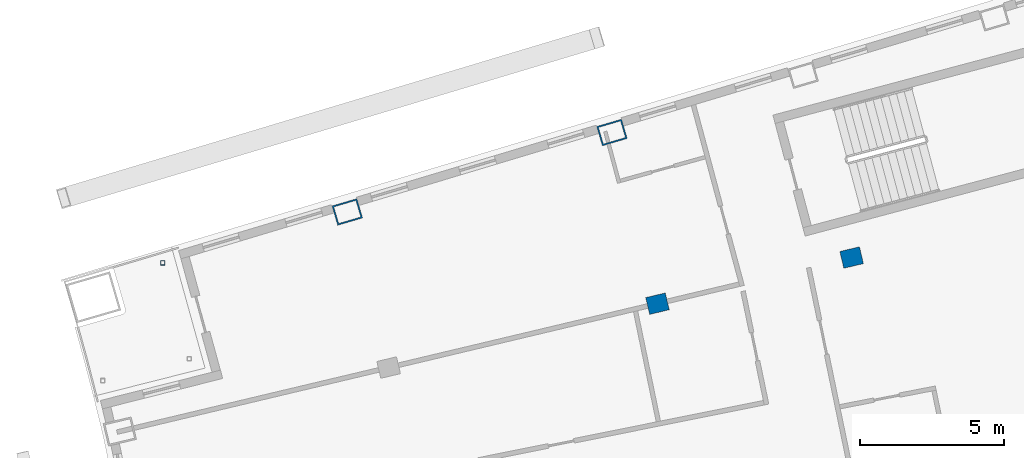
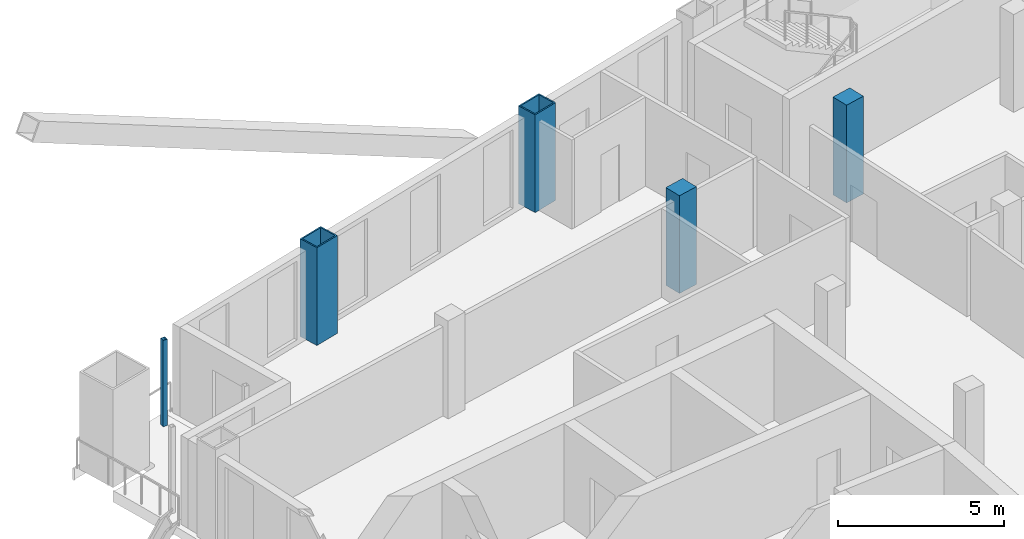
# One storey, part 5 of 17: 5 columns.
"""IFC4 building model written with IfcOpenShell, lengths in metres."""

from ifc_helpers import new_model, si_unit, direction, frame, origin, origin_2d, place, context, subcontext, project, spatial, rectangle, hollow_rectangle, extrude, material, material_profile, profile_set, type_object, element, save


model = new_model("IFC4")

# Units and contexts
model_context = context("Model", 3, precision=1e-05, world=origin(), true_north=direction((0.0, 1.0)))
body_context = subcontext(model_context, "Body", "Model", "MODEL_VIEW")
ifc_project = project(units=[si_unit("LENGTHUNIT", "METRE"), si_unit("AREAUNIT", "SQUARE_METRE"), si_unit("VOLUMEUNIT", "CUBIC_METRE"), si_unit("PLANEANGLEUNIT", "RADIAN"), si_unit("MASSUNIT", "GRAM", prefix="KILO")], contexts=[model_context])

# Site, building, storey
site_placement = place(None, origin())
site = spatial("IfcSite", under=ifc_project, at=site_placement, CompositionType="ELEMENT")
building_placement = place(site_placement, origin())
building = spatial("IfcBuilding", under=site, at=building_placement, Name="Alderwake Tower", CompositionType="ELEMENT")
storey_placement = place(building_placement, frame((0.0, 0.0, 256.39990234375)))
storey = spatial("IfcBuildingStorey", under=building, at=storey_placement, Name="L63", CompositionType="ELEMENT", Elevation=256.39990234375)

# Columns
ifc_material_1 = material(Name="Steel ASTM A572 Grade 50 concrete filled C70/85", Category="concrete")
ifc_material_profile_1 = material_profile(ifc_material_1, hollow_rectangle(XDim=0.699951171875, YDim=0.89990234375, WallThickness=0.050048828125, at=origin_2d()), Name="BOX 900X700X50")
ifc_profile_set_1 = profile_set([ifc_material_profile_1], Name="Steel ASTM A572 Grade 50 concrete filled C70/85")
column_type_1 = type_object("IfcColumnType", Name="End column Z5", PredefinedType="COLUMN", material=ifc_profile_set_1)
for number, where, z_axis, x_axis, name in (
    (1, (21.885498046875, 90.96240234375, 0.0), (0.0, 0.0, 1.0), (-0.282132160283, 0.95937554906, 0.0), "Column R12-C1"),
    (2, (31.080322265625, 93.72314453125, 0.0), (0.0, 0.0, 1.0), (-0.282582549822, 0.959242984095, 0.0), "Column R12-C2"),
):
    element("IfcColumn", number, at=place(storey_placement, frame(where, z_axis=z_axis, x_axis=x_axis)), inside=storey, type_object=column_type_1, Name=name, PredefinedType="COLUMN", context=body_context, shape_type="SweptSolid", body=[
        extrude(hollow_rectangle(XDim=0.699951171875, YDim=0.89990234375, WallThickness=0.050048828125, at=origin_2d()), origin(), (0.0, 0.0, 1.0), 3.60009765625),
    ])
ifc_material_2 = material(Name="Concrete C70/85", Category="concrete")
ifc_material_profile_2 = material_profile(ifc_material_2, rectangle(XDim=0.60009765625, YDim=0.699951171875, at=origin_2d()), Name="RC 700X600")
ifc_profile_set_2 = profile_set([ifc_material_profile_2], Name="Concrete C70/85")
column_type_2 = type_object("IfcColumnType", Name="Interior column Z5", PredefinedType="COLUMN", material=ifc_profile_set_2)
for number, where, z_axis, x_axis, name in (
    (3, (32.661865234375, 87.775390625, 0.0), (0.0, 0.0, 1.0), (-0.231221547198, 0.972901123502, 0.0), "Column R11-C2"),
    (4, (39.407470703125, 89.378662109375, 0.0), (0.0, 0.0, 1.0), (-0.231221547198, 0.972901123502, 0.0), "Column R11-C3"),
):
    element("IfcColumn", number, at=place(storey_placement, frame(where, z_axis=z_axis, x_axis=x_axis)), inside=storey, type_object=column_type_2, Name=name, PredefinedType="COLUMN", context=body_context, shape_type="SweptSolid", body=[
        extrude(rectangle(XDim=0.60009765625, YDim=0.699951171875, at=origin_2d()), origin(), (0.0, 0.0, 1.0), 3.60009765625),
    ])
ifc_material_3 = material(Name="Steel ASTM A500 Grade C", Category="steel")
ifc_material_profile_3 = material_profile(ifc_material_3, hollow_rectangle(XDim=0.15234375, YDim=0.15234375, WallThickness=0.0087890625, at=origin_2d()), Name="HSS6X6X3/8")
ifc_profile_set_3 = profile_set([ifc_material_profile_3], Name="Steel ASTM A500 Grade C")
column_type_3 = type_object("IfcColumnType", Name="Light post HSS6X6X3/8", PredefinedType="COLUMN", material=ifc_profile_set_3)
column_placement = place(storey_placement, frame((15.47412109375, 89.194091796875, 0.0), z_axis=(0.0, 0.0, 1.0), x_axis=(1.0, 0.0, 0.0)))
element("IfcColumn", 5, at=column_placement, inside=storey, type_object=column_type_3, Name="Terrace post RN2", PredefinedType="COLUMN", context=body_context, shape_type="SweptSolid", body=[
    extrude(hollow_rectangle(XDim=0.15234375, YDim=0.15234375, WallThickness=0.0087890625, at=origin_2d()), origin(), (0.0, 0.0, 1.0), 3.18017578125),
])

save(model, "model.ifc")
